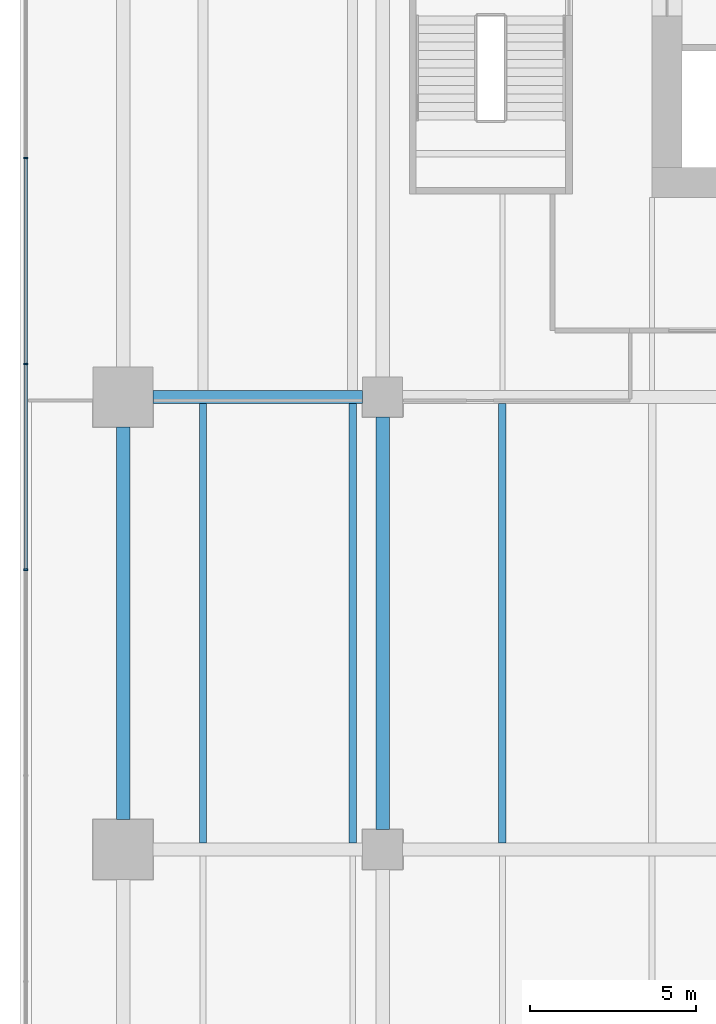
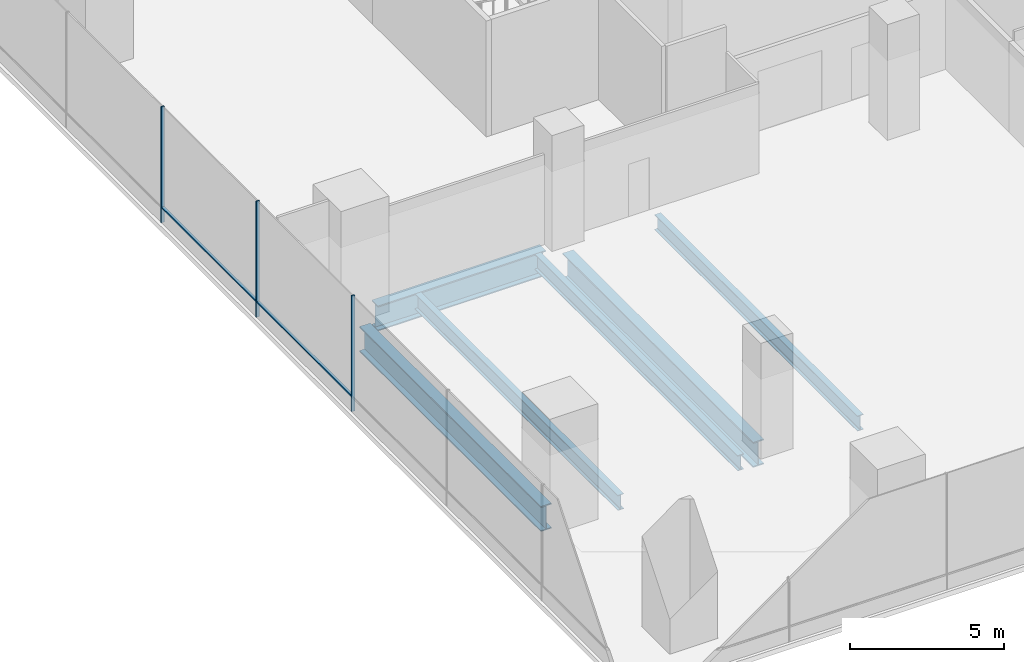
# One storey, part 4 of 28: 6 beams, 5 members, 1 element without a shape of its own.
"""IFC4 building model written with IfcOpenShell, lengths in metres."""

from ifc_helpers import new_model, si_unit, direction, frame, origin, origin_2d, place, context, subcontext, project, spatial, rectangle, i_section, extrude, material, layer, layer_set, material_profile, profile_set, type_object, element, aggregate, save


model = new_model("IFC4")

# Units and contexts
model_context = context("Model", 3, precision=1e-05, world=origin(), true_north=direction((0.0, 1.0)))
body_context = subcontext(model_context, "Body", "Model", "MODEL_VIEW")
ifc_project = project(units=[si_unit("LENGTHUNIT", "METRE"), si_unit("AREAUNIT", "SQUARE_METRE"), si_unit("VOLUMEUNIT", "CUBIC_METRE"), si_unit("PLANEANGLEUNIT", "RADIAN"), si_unit("MASSUNIT", "GRAM", prefix="KILO")], contexts=[model_context])

# Site, building, storey
site_placement = place(None, origin())
site = spatial("IfcSite", under=ifc_project, at=site_placement, CompositionType="ELEMENT")
building_placement = place(site_placement, origin())
building = spatial("IfcBuilding", under=site, at=building_placement, Name="Rattan Terrace Tower", CompositionType="ELEMENT")
storey_placement = place(building_placement, frame((0.0, 0.0, 17.39990234375)))
storey = spatial("IfcBuildingStorey", under=building, at=storey_placement, Name="L03", CompositionType="ELEMENT", Elevation=17.39990234375)

# Beams
ifc_material_1 = material(Name="Steel S355", Category="steel")
ifc_material_profile_1 = material_profile(ifc_material_1, i_section(OverallWidth=0.22412109375, OverallDepth=0.610107421875, WebThickness=0.014892578125, FlangeThickness=0.02392578125, FilletRadius=0.02392578125, at=origin_2d()), Name="IPE O 600")
ifc_profile_set_1 = profile_set([ifc_material_profile_1], Name="Steel S355")
beam_type_1 = type_object("IfcBeamType", Name="Frame floor beam IPE O 600", PredefinedType="JOIST", material=ifc_profile_set_1)
for number, where, z_axis, x_axis, name in (
    (1, (-31.5, -26.89990234375, -0.5048828125), (0.0, 1.0, 0.0), (-1.0, 0.0, 0.0), "bm-L03-015"),
    (2, (-27.0, -26.89990234375, -0.5048828125), (0.0, 1.0, 0.0), (-1.0, 0.0, 0.0), "bm-L03-016"),
    (3, (-22.5, -26.89990234375, -0.5048828125), (0.0, 1.0, 0.0), (-1.0, 0.0, 0.0), "bm-L03-017"),
):
    element("IfcBeam", number, at=place(storey_placement, frame(where, z_axis=z_axis, x_axis=x_axis)), inside=storey, type_object=beam_type_1, Name=name, PredefinedType="JOIST", context=body_context, shape_type="SweptSolid", body=[
        extrude(i_section(OverallWidth=0.22412109375, OverallDepth=0.610107421875, WebThickness=0.014892578125, FlangeThickness=0.02392578125, FilletRadius=0.02392578125, at=origin_2d()), origin(), (0.0, 0.0, 1.0), 13.199951171875),
    ])
ifc_material_2 = material(Name="Steel S460", Category="steel")
ifc_material_profile_2 = material_profile(ifc_material_2, i_section(OverallWidth=0.39990234375, OverallDepth=1.0, WebThickness=0.01806640625, FlangeThickness=0.044921875, at=origin_2d()), Name="PG 1000x400-18-45")
ifc_profile_set_2 = profile_set([ifc_material_profile_2], Name="Steel S460")
beam_type_2 = type_object("IfcBeamType", Name="Frame podium girder PG 1000x400-18-45", PredefinedType="USERDEFINED", material=ifc_profile_set_2)
beam_1_placement = place(storey_placement, frame((-26.10009765625, -26.5, -0.699951171875), z_axis=(0.0, 1.0, 0.0), x_axis=(-1.0, 0.0, 0.0)))
element("IfcBeam", 4, at=beam_1_placement, inside=storey, type_object=beam_type_2, Name="gdr-L03-020", ObjectType="PODIUM GIRDER", PredefinedType="USERDEFINED", context=body_context, shape_type="SweptSolid", body=[
    extrude(i_section(OverallWidth=0.39990234375, OverallDepth=1.0, WebThickness=0.01806640625, FlangeThickness=0.044921875, at=origin_2d()), origin(), (0.0, 0.0, 1.0), 12.39990234375),
])
beam_2_placement = place(storey_placement, frame((-33.89990234375, -26.199951171875, -0.699951171875), z_axis=(0.0, 1.0, 0.0), x_axis=(-1.0, 0.0, 0.0)))
element("IfcBeam", 5, at=beam_2_placement, inside=storey, type_object=beam_type_2, Name="gdr-L03-025", ObjectType="PODIUM GIRDER", PredefinedType="USERDEFINED", context=body_context, shape_type="SweptSolid", body=[
    extrude(i_section(OverallWidth=0.39990234375, OverallDepth=1.0, WebThickness=0.01806640625, FlangeThickness=0.044921875, at=origin_2d()), origin(), (0.0, 0.0, 1.0), 11.800048828125),
])
beam_3_placement = place(storey_placement, frame((-33.0, -13.5, -0.699951171875), z_axis=(1.0, 0.0, 0.0), x_axis=(0.0, 1.0, 0.0)))
element("IfcBeam", 6, at=beam_3_placement, inside=storey, type_object=beam_type_2, Name="gdr-L03-027", ObjectType="PODIUM GIRDER", PredefinedType="USERDEFINED", context=body_context, shape_type="SweptSolid", body=[
    extrude(i_section(OverallWidth=0.39990234375, OverallDepth=1.0, WebThickness=0.01806640625, FlangeThickness=0.044921875, at=origin_2d()), origin(), (0.0, 0.0, 1.0), 6.300048828125),
])

# Curtain wall, members
ifc_material_3 = material(Name="Aluminium and glass", Category="aluminium")
ifc_layer = layer(ifc_material_3, 0.1201171875)
ifc_layer_set = layer_set([ifc_layer], Name="Station Storefront Curtain Wall")
curtain_wall_type = type_object("IfcCurtainWallType", Name="Station Storefront Curtain Wall", PredefinedType="NOTDEFINED", material=ifc_layer_set)
curtain_wall_placement = place(storey_placement, origin())
curtain_wall = element("IfcCurtainWall", 7, at=curtain_wall_placement, inside=storey, type_object=curtain_wall_type, Name="Storefront curtain wall L03-3", PredefinedType="NOTDEFINED")
ifc_material_4 = material(Name="Aluminium", Category="aluminium")
ifc_material_profile_3 = material_profile(ifc_material_4, rectangle(XDim=0.050048828125, YDim=0.1201171875, at=origin_2d()), Name="Aluminium 50x120")
ifc_profile_set_3 = profile_set([ifc_material_profile_3], Name="Aluminium")
member_type_1 = type_object("IfcMemberType", Name="Storefront CW Mullion 50x120", PredefinedType="MULLION", material=ifc_profile_set_3)
member_1_placement = place(storey_placement, frame((-36.830078125, -6.31396484375, 0.0), z_axis=(0.0, 0.0, 1.0), x_axis=(0.0, -1.0, 0.0)))
member_1 = element("IfcMember", 8, at=member_1_placement, type_object=member_type_1, Name="Mullion cwl-L03-003.4", PredefinedType="MULLION", context=body_context, shape_type="SweptSolid", body=[
    extrude(rectangle(XDim=0.050048828125, YDim=0.1201171875, at=origin_2d()), origin(), (0.0, 0.0, 1.0), 4.60009765625),
])
member_2_placement = place(storey_placement, frame((-36.830078125, -12.501953125, 0.0), z_axis=(0.0, 0.0, 1.0), x_axis=(0.0, -1.0, 0.0)))
member_2 = element("IfcMember", 9, at=member_2_placement, type_object=member_type_1, Name="Mullion cwl-L03-003.5", PredefinedType="MULLION", context=body_context, shape_type="SweptSolid", body=[
    extrude(rectangle(XDim=0.050048828125, YDim=0.1201171875, at=origin_2d()), origin(), (0.0, 0.0, 1.0), 4.60009765625),
])
member_3_placement = place(storey_placement, frame((-36.830078125, -18.68994140625, 0.0), z_axis=(0.0, 0.0, 1.0), x_axis=(0.0, -1.0, 0.0)))
member_3 = element("IfcMember", 10, at=member_3_placement, type_object=member_type_1, Name="Mullion cwl-L03-003.6", PredefinedType="MULLION", context=body_context, shape_type="SweptSolid", body=[
    extrude(rectangle(XDim=0.050048828125, YDim=0.1201171875, at=origin_2d()), origin(), (0.0, 0.0, 1.0), 4.60009765625),
])
ifc_material_5 = material(Name="Aluminium", Category="aluminium")
ifc_material_profile_4 = material_profile(ifc_material_5, rectangle(XDim=0.10009765625, YDim=0.050048828125, at=origin_2d()), Name="Aluminium 100x50")
ifc_profile_set_4 = profile_set([ifc_material_profile_4], Name="Aluminium")
member_type_2 = type_object("IfcMemberType", Name="Storefront CW Transom 100x50", PredefinedType="USERDEFINED", material=ifc_profile_set_4)
member_4_placement = place(storey_placement, frame((-36.830078125, -6.339111328125, 0.60009765625), z_axis=(0.0, -1.0, 0.0), x_axis=(1.0, 0.0, 0.0)))
member_4 = element("IfcMember", 11, at=member_4_placement, type_object=member_type_2, Name="Transom cwl-L03-003.4", ObjectType="TRANSOM", PredefinedType="USERDEFINED", context=body_context, shape_type="SweptSolid", body=[
    extrude(rectangle(XDim=0.10009765625, YDim=0.050048828125, at=origin_2d()), origin(), (0.0, 0.0, 1.0), 6.137939453125),
])
member_5_placement = place(storey_placement, frame((-36.830078125, -12.527099609375, 0.60009765625), z_axis=(0.0, -1.0, 0.0), x_axis=(1.0, 0.0, 0.0)))
member_5 = element("IfcMember", 12, at=member_5_placement, type_object=member_type_2, Name="Transom cwl-L03-003.5", ObjectType="TRANSOM", PredefinedType="USERDEFINED", context=body_context, shape_type="SweptSolid", body=[
    extrude(rectangle(XDim=0.10009765625, YDim=0.050048828125, at=origin_2d()), origin(), (0.0, 0.0, 1.0), 6.137939453125),
])
aggregate(curtain_wall, [member_1, member_2, member_3, member_4, member_5])

save(model, "model.ifc")
